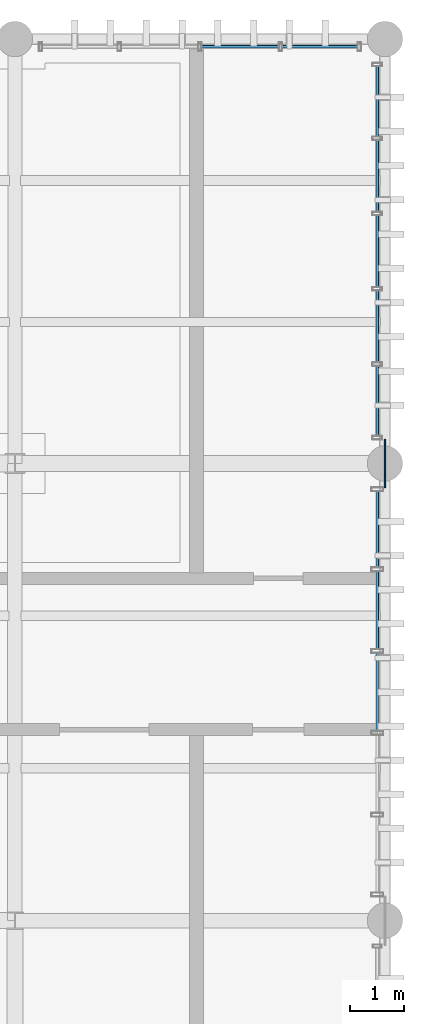
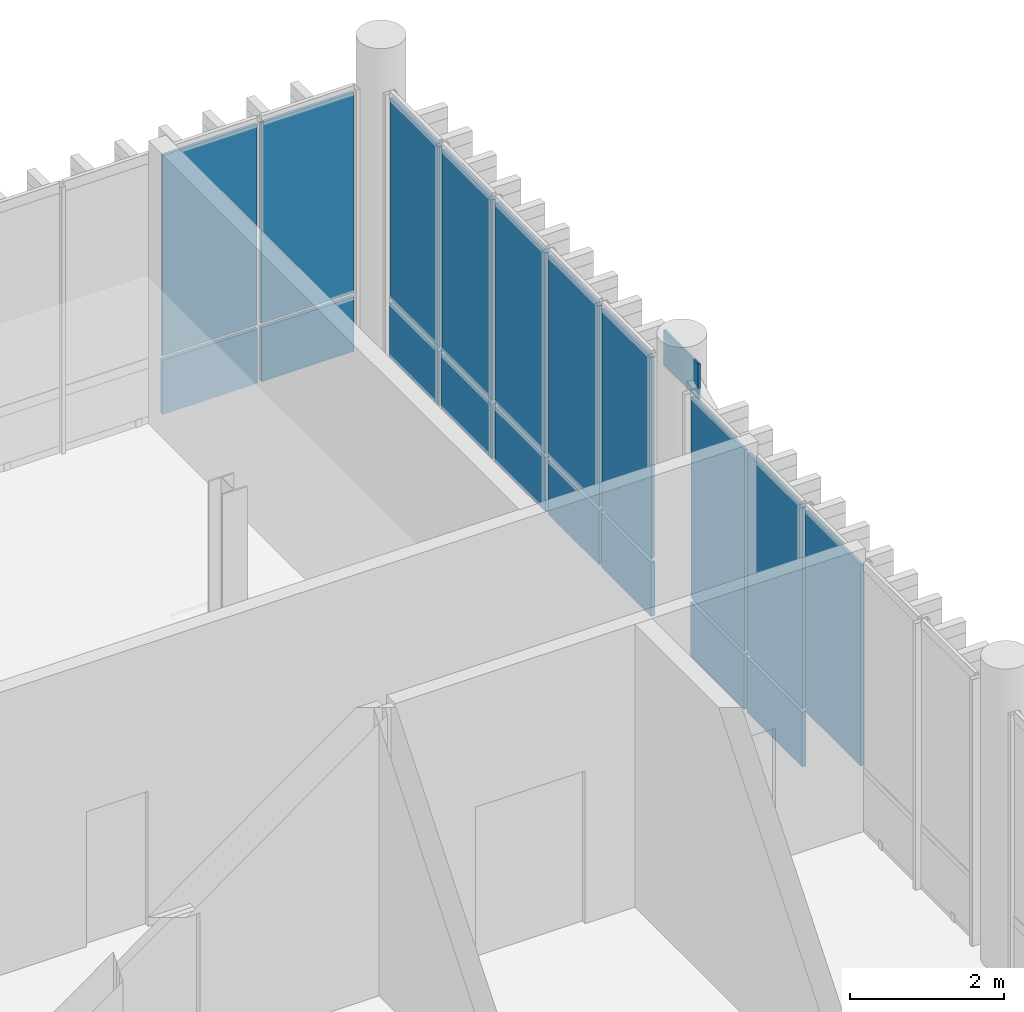
# One storey, part 70 of 86: 20 plates, 3 elements without a shape of their own.
"""IFC4 building model written with IfcOpenShell, lengths in metres."""

from ifc_helpers import new_model, si_unit, direction, frame, frame_2d, origin_with_axes, origin_2d_with_axis, place, context, subcontext, project, spatial, rectangle, extrude, material, layer, layer_set, type_object, element, aggregate, save


model = new_model("IFC4")

# Units and contexts
model_context = context("Model", 3, precision=1e-05, world=origin_with_axes(), true_north=direction((0.0, 1.0)))
body_context = subcontext(model_context, "Body", "Model", "MODEL_VIEW")
ifc_project = project(units=[si_unit("LENGTHUNIT", "METRE"), si_unit("AREAUNIT", "SQUARE_METRE"), si_unit("VOLUMEUNIT", "CUBIC_METRE"), si_unit("PLANEANGLEUNIT", "RADIAN"), si_unit("MASSUNIT", "GRAM", prefix="KILO"), si_unit("THERMODYNAMICTEMPERATUREUNIT", "KELVIN")], contexts=[model_context])

# Site, building, storey
site_placement = place(None, origin_with_axes())
site = spatial("IfcSite", under=ifc_project, at=site_placement, CompositionType="ELEMENT")
building_placement = place(site_placement, origin_with_axes())
building = spatial("IfcBuilding", under=site, at=building_placement, Name="Montbau Bow Law Courts", CompositionType="ELEMENT")
storey_placement = place(building_placement, frame((0.0, 0.0, 29.7), z_axis=(0.0, 0.0, 1.0), x_axis=(1.0, 0.0, 0.0)))
storey = spatial("IfcBuildingStorey", under=building, at=storey_placement, Name="L06", CompositionType="ELEMENT", Elevation=29.7)

# Curtain wall, plates
ifc_material_1 = material(Name="Thermally Broken Extruded Aluminium AA 6063-T6", Category="aluminium")
curtain_wall_type = type_object("IfcCurtainWallType", Name="CW-SLT-02", PredefinedType="NOTDEFINED", material=ifc_material_1)
curtain_wall_1_placement = place(None, frame((163.04, 110.86, 29.7), z_axis=(0.0, 0.0, 1.0), x_axis=(1.0, 0.0, 0.0)))
curtain_wall_1 = element("IfcCurtainWall", 1, at=curtain_wall_1_placement, inside=storey, type_object=curtain_wall_type, Name="CW-L06-356:cw_0356", PredefinedType="NOTDEFINED")
ifc_material_2 = material(Name="Triple-Glazed Low-E Argon Insulating Glass Unit", Category="glass")
ifc_layer_1 = layer(ifc_material_2, 0.044, Name="Curtain Panel", Category="glass")
ifc_layer_set_1 = layer_set([ifc_layer_1], Name="Triple-Glazed Low-E Argon Insulating Glass Unit")
plate_type_1 = type_object("IfcPlateType", Name="PL-CWP-01", PredefinedType="CURTAIN_PANEL", material=ifc_layer_set_1)
plate_1_placement = place(None, frame((166.032, 110.86, 30.682), z_axis=(0.0, -1.0, 0.0), x_axis=(1.0, 0.0, 0.0)))
plate_1 = element("IfcPlate", 2, at=plate_1_placement, type_object=plate_type_1, Name="CW-L06-356-P03-2:cw_0356_P03_2", PredefinedType="CURTAIN_PANEL", context=body_context, shape_type="SweptSolid", body=[
    extrude(rectangle(XDim=1.416, YDim=3.176, at=frame_2d((0.708, 1.588), x_axis=(1.0, 0.0))), frame((0.0, 0.0, -0.022), z_axis=(0.0, 0.0, 1.0), x_axis=(1.0, 0.0, 0.0)), (0.0, 0.0, 1.0), 0.044),
])
plate_2_placement = place(None, frame((167.512, 110.86, 30.682), z_axis=(0.0, -1.0, 0.0), x_axis=(1.0, 0.0, 0.0)))
plate_2 = element("IfcPlate", 3, at=plate_2_placement, type_object=plate_type_1, Name="CW-L06-356-P04-2:cw_0356_P04_2", PredefinedType="CURTAIN_PANEL", context=body_context, shape_type="SweptSolid", body=[
    extrude(rectangle(XDim=1.386, YDim=3.176, at=frame_2d((0.693, 1.588), x_axis=(1.0, 0.0))), frame((0.0, 0.0, -0.022), z_axis=(0.0, 0.0, 1.0), x_axis=(1.0, 0.0, 0.0)), (0.0, 0.0, 1.0), 0.044),
])

curtain_wall_2_placement = place(None, frame((169.26, 95.24, 29.7), z_axis=(0.0, 0.0, 1.0), x_axis=(1.0, 0.0, 0.0)))
curtain_wall_2 = element("IfcCurtainWall", 4, at=curtain_wall_2_placement, inside=storey, type_object=curtain_wall_type, Name="CW-L06-363:cw_0363", PredefinedType="NOTDEFINED")
plate_3_placement = place(None, frame((169.26, 98.287, 30.679), z_axis=(1.0, 0.0, 0.0), x_axis=(0.0, 1.0, 0.0)))
plate_3 = element("IfcPlate", 5, at=plate_3_placement, type_object=plate_type_1, Name="CW-L06-363-P03-2:cw_0363_P03_2", PredefinedType="CURTAIN_PANEL", context=body_context, shape_type="SweptSolid", body=[
    extrude(rectangle(XDim=1.426, YDim=3.183, at=frame_2d((0.713, 1.5915), x_axis=(1.0, 0.0))), frame((0.0, 0.0, -0.022), z_axis=(0.0, 0.0, 1.0), x_axis=(1.0, 0.0, 0.0)), (0.0, 0.0, 1.0), 0.044),
])
plate_4_placement = place(None, frame((169.26, 99.791, 30.679), z_axis=(1.0, 0.0, 0.0), x_axis=(0.0, 1.0, 0.0)))
plate_4 = element("IfcPlate", 6, at=plate_4_placement, type_object=plate_type_1, Name="CW-L06-363-P04-2:cw_0363_P04_2", PredefinedType="CURTAIN_PANEL", context=body_context, shape_type="SweptSolid", body=[
    extrude(rectangle(XDim=1.426, YDim=3.183, at=frame_2d((0.713, 1.5915), x_axis=(1.0, 0.0))), frame((0.0, 0.0, -0.022), z_axis=(0.0, 0.0, 1.0), x_axis=(1.0, 0.0, 0.0)), (0.0, 0.0, 1.0), 0.044),
])
plate_5_placement = place(None, frame((169.26, 101.295, 30.679), z_axis=(1.0, 0.0, 0.0), x_axis=(0.0, 1.0, 0.0)))
plate_5 = element("IfcPlate", 7, at=plate_5_placement, type_object=plate_type_1, Name="CW-L06-363-P05-2:cw_0363_P05_2", PredefinedType="CURTAIN_PANEL", context=body_context, shape_type="SweptSolid", body=[
    extrude(rectangle(XDim=1.389, YDim=3.183, at=frame_2d((0.6945, 1.5915), x_axis=(1.0, 0.0))), frame((0.0, 0.0, -0.022), z_axis=(0.0, 0.0, 1.0), x_axis=(1.0, 0.0, 0.0)), (0.0, 0.0, 1.0), 0.044),
])

curtain_wall_3_placement = place(None, frame((169.26, 103.64, 29.7), z_axis=(0.0, 0.0, 1.0), x_axis=(1.0, 0.0, 0.0)))
curtain_wall_3 = element("IfcCurtainWall", 8, at=curtain_wall_3_placement, inside=storey, type_object=curtain_wall_type, Name="CW-L06-364:cw_0364", PredefinedType="NOTDEFINED")
plate_6_placement = place(None, frame((169.26, 103.708, 30.682), z_axis=(1.0, 0.0, 0.0), x_axis=(0.0, 1.0, 0.0)))
plate_6 = element("IfcPlate", 9, at=plate_6_placement, type_object=plate_type_1, Name="CW-L06-364-P01-2:cw_0364_P01_2", PredefinedType="CURTAIN_PANEL", context=body_context, shape_type="SweptSolid", body=[
    extrude(rectangle(XDim=1.281, YDim=3.176, at=frame_2d((0.6405, 1.588), x_axis=(1.0, 0.0))), frame((0.0, 0.0, -0.022), z_axis=(0.0, 0.0, 1.0), x_axis=(1.0, 0.0, 0.0)), (0.0, 0.0, 1.0), 0.044),
])
plate_7_placement = place(None, frame((169.26, 105.058, 30.682), z_axis=(1.0, 0.0, 0.0), x_axis=(0.0, 1.0, 0.0)))
plate_7 = element("IfcPlate", 10, at=plate_7_placement, type_object=plate_type_1, Name="CW-L06-364-P02-2:cw_0364_P02_2", PredefinedType="CURTAIN_PANEL", context=body_context, shape_type="SweptSolid", body=[
    extrude(rectangle(XDim=1.315, YDim=3.176, at=frame_2d((0.6575, 1.588), x_axis=(1.0, 0.0))), frame((0.0, 0.0, -0.022), z_axis=(0.0, 0.0, 1.0), x_axis=(1.0, 0.0, 0.0)), (0.0, 0.0, 1.0), 0.044),
])
plate_8_placement = place(None, frame((169.26, 106.442, 30.682), z_axis=(1.0, 0.0, 0.0), x_axis=(0.0, 1.0, 0.0)))
plate_8 = element("IfcPlate", 11, at=plate_8_placement, type_object=plate_type_1, Name="CW-L06-364-P03-2:cw_0364_P03_2", PredefinedType="CURTAIN_PANEL", context=body_context, shape_type="SweptSolid", body=[
    extrude(rectangle(XDim=1.316, YDim=3.176, at=frame_2d((0.658, 1.588), x_axis=(1.0, 0.0))), frame((0.0, 0.0, -0.022), z_axis=(0.0, 0.0, 1.0), x_axis=(1.0, 0.0, 0.0)), (0.0, 0.0, 1.0), 0.044),
])
plate_9_placement = place(None, frame((169.26, 107.826, 30.682), z_axis=(1.0, 0.0, 0.0), x_axis=(0.0, 1.0, 0.0)))
plate_9 = element("IfcPlate", 12, at=plate_9_placement, type_object=plate_type_1, Name="CW-L06-364-P04-2:cw_0364_P04_2", PredefinedType="CURTAIN_PANEL", context=body_context, shape_type="SweptSolid", body=[
    extrude(rectangle(XDim=1.316, YDim=3.176, at=frame_2d((0.658, 1.588), x_axis=(1.0, 0.0))), frame((0.0, 0.0, -0.022), z_axis=(0.0, 0.0, 1.0), x_axis=(1.0, 0.0, 0.0)), (0.0, 0.0, 1.0), 0.044),
])
plate_10_placement = place(None, frame((169.26, 109.21, 30.682), z_axis=(1.0, 0.0, 0.0), x_axis=(0.0, 1.0, 0.0)))
plate_10 = element("IfcPlate", 13, at=plate_10_placement, type_object=plate_type_1, Name="CW-L06-364-P05-2:cw_0364_P05_2", PredefinedType="CURTAIN_PANEL", context=body_context, shape_type="SweptSolid", body=[
    extrude(rectangle(XDim=1.284, YDim=3.176, at=frame_2d((0.642, 1.588), x_axis=(1.0, 0.0))), frame((0.0, 0.0, -0.022), z_axis=(0.0, 0.0, 1.0), x_axis=(1.0, 0.0, 0.0)), (0.0, 0.0, 1.0), 0.044),
])

# Plate
ifc_material_3 = material(Name="Insulated Ceramic-Frit Spandrel Glazing Unit", Category="glass")
ifc_layer_2 = layer(ifc_material_3, 0.056, Name="Curtain Panel", Category="glass")
ifc_layer_set_2 = layer_set([ifc_layer_2], Name="Insulated Ceramic-Frit Spandrel Glazing Unit")
plate_type_2 = type_object("IfcPlateType", Name="PL-CWP-02", PredefinedType="CURTAIN_PANEL", material=ifc_layer_set_2)
plate_11_placement = place(None, frame((166.032, 110.86, 29.762), z_axis=(0.0, -1.0, 0.0), x_axis=(1.0, 0.0, 0.0)))
plate_11 = element("IfcPlate", 14, at=plate_11_placement, type_object=plate_type_2, Name="CW-L06-356-P03-1:cw_0356_P03_1", PredefinedType="CURTAIN_PANEL", context=body_context, shape_type="SweptSolid", body=[
    extrude(rectangle(XDim=1.416, YDim=0.856, at=frame_2d((0.708, 0.428), x_axis=(1.0, 0.0))), frame((0.0, 0.0, -0.028), z_axis=(0.0, 0.0, 1.0), x_axis=(1.0, 0.0, 0.0)), (0.0, 0.0, 1.0), 0.056),
])

plate_12_placement = place(None, frame((167.512, 110.86, 29.762), z_axis=(0.0, -1.0, 0.0), x_axis=(1.0, 0.0, 0.0)))
plate_12 = element("IfcPlate", 15, at=plate_12_placement, type_object=plate_type_2, Name="CW-L06-356-P04-1:cw_0356_P04_1", PredefinedType="CURTAIN_PANEL", context=body_context, shape_type="SweptSolid", body=[
    extrude(rectangle(XDim=1.386, YDim=0.856, at=frame_2d((0.693, 0.428), x_axis=(1.0, 0.0))), frame((0.0, 0.0, -0.028), z_axis=(0.0, 0.0, 1.0), x_axis=(1.0, 0.0, 0.0)), (0.0, 0.0, 1.0), 0.056),
])

aggregate(curtain_wall_1, [plate_11, plate_1, plate_12, plate_2])

plate_13_placement = place(None, frame((169.26, 99.791, 29.756), z_axis=(1.0, 0.0, 0.0), x_axis=(0.0, 1.0, 0.0)))
plate_13 = element("IfcPlate", 16, at=plate_13_placement, type_object=plate_type_2, Name="CW-L06-363-P04-1:cw_0363_P04_1", PredefinedType="CURTAIN_PANEL", context=body_context, shape_type="SweptSolid", body=[
    extrude(rectangle(XDim=1.426, YDim=0.864, at=frame_2d((0.713, 0.432), x_axis=(1.0, 0.0))), frame((0.0, 0.0, -0.028), z_axis=(0.0, 0.0, 1.0), x_axis=(1.0, 0.0, 0.0)), (0.0, 0.0, 1.0), 0.056),
])

plate_14_placement = place(None, frame((169.26, 101.295, 29.756), z_axis=(1.0, 0.0, 0.0), x_axis=(0.0, 1.0, 0.0)))
plate_14 = element("IfcPlate", 17, at=plate_14_placement, type_object=plate_type_2, Name="CW-L06-363-P05-1:cw_0363_P05_1", PredefinedType="CURTAIN_PANEL", context=body_context, shape_type="SweptSolid", body=[
    extrude(rectangle(XDim=1.389, YDim=0.864, at=frame_2d((0.6945, 0.432), x_axis=(1.0, 0.0))), frame((0.0, 0.0, -0.028), z_axis=(0.0, 0.0, 1.0), x_axis=(1.0, 0.0, 0.0)), (0.0, 0.0, 1.0), 0.056),
])

aggregate(curtain_wall_2, [plate_3, plate_13, plate_4, plate_14, plate_5])

plate_15_placement = place(None, frame((169.26, 103.708, 29.762), z_axis=(1.0, 0.0, 0.0), x_axis=(0.0, 1.0, 0.0)))
plate_15 = element("IfcPlate", 18, at=plate_15_placement, type_object=plate_type_2, Name="CW-L06-364-P01-1:cw_0364_P01_1", PredefinedType="CURTAIN_PANEL", context=body_context, shape_type="SweptSolid", body=[
    extrude(rectangle(XDim=1.281, YDim=0.856, at=frame_2d((0.6405, 0.428), x_axis=(1.0, 0.0))), frame((0.0, 0.0, -0.028), z_axis=(0.0, 0.0, 1.0), x_axis=(1.0, 0.0, 0.0)), (0.0, 0.0, 1.0), 0.056),
])

plate_16_placement = place(None, frame((169.26, 105.058, 29.762), z_axis=(1.0, 0.0, 0.0), x_axis=(0.0, 1.0, 0.0)))
plate_16 = element("IfcPlate", 19, at=plate_16_placement, type_object=plate_type_2, Name="CW-L06-364-P02-1:cw_0364_P02_1", PredefinedType="CURTAIN_PANEL", context=body_context, shape_type="SweptSolid", body=[
    extrude(rectangle(XDim=1.315, YDim=0.856, at=frame_2d((0.6575, 0.428), x_axis=(1.0, 0.0))), frame((0.0, 0.0, -0.028), z_axis=(0.0, 0.0, 1.0), x_axis=(1.0, 0.0, 0.0)), (0.0, 0.0, 1.0), 0.056),
])

plate_17_placement = place(None, frame((169.26, 106.442, 29.762), z_axis=(1.0, 0.0, 0.0), x_axis=(0.0, 1.0, 0.0)))
plate_17 = element("IfcPlate", 20, at=plate_17_placement, type_object=plate_type_2, Name="CW-L06-364-P03-1:cw_0364_P03_1", PredefinedType="CURTAIN_PANEL", context=body_context, shape_type="SweptSolid", body=[
    extrude(rectangle(XDim=1.316, YDim=0.856, at=frame_2d((0.658, 0.428), x_axis=(1.0, 0.0))), frame((0.0, 0.0, -0.028), z_axis=(0.0, 0.0, 1.0), x_axis=(1.0, 0.0, 0.0)), (0.0, 0.0, 1.0), 0.056),
])

plate_18_placement = place(None, frame((169.26, 107.826, 29.762), z_axis=(1.0, 0.0, 0.0), x_axis=(0.0, 1.0, 0.0)))
plate_18 = element("IfcPlate", 21, at=plate_18_placement, type_object=plate_type_2, Name="CW-L06-364-P04-1:cw_0364_P04_1", PredefinedType="CURTAIN_PANEL", context=body_context, shape_type="SweptSolid", body=[
    extrude(rectangle(XDim=1.316, YDim=0.856, at=frame_2d((0.658, 0.428), x_axis=(1.0, 0.0))), frame((0.0, 0.0, -0.028), z_axis=(0.0, 0.0, 1.0), x_axis=(1.0, 0.0, 0.0)), (0.0, 0.0, 1.0), 0.056),
])

plate_19_placement = place(None, frame((169.26, 109.21, 29.762), z_axis=(1.0, 0.0, 0.0), x_axis=(0.0, 1.0, 0.0)))
plate_19 = element("IfcPlate", 22, at=plate_19_placement, type_object=plate_type_2, Name="CW-L06-364-P05-1:cw_0364_P05_1", PredefinedType="CURTAIN_PANEL", context=body_context, shape_type="SweptSolid", body=[
    extrude(rectangle(XDim=1.284, YDim=0.856, at=frame_2d((0.642, 0.428), x_axis=(1.0, 0.0))), frame((0.0, 0.0, -0.028), z_axis=(0.0, 0.0, 1.0), x_axis=(1.0, 0.0, 0.0)), (0.0, 0.0, 1.0), 0.056),
])

aggregate(curtain_wall_3, [plate_15, plate_6, plate_16, plate_7, plate_17, plate_8, plate_18, plate_9, plate_19, plate_10])

ifc_material_4 = material(Name="Steel CSA G40.21 Grade 350WT (350 MPa)", Category="steel")
ifc_layer_3 = layer(ifc_material_4, 0.032, Name="Gusset Plate", Category="steel")
ifc_layer_set_3 = layer_set([ifc_layer_3], Name="Steel CSA G40.21 Grade 350WT (350 MPa)")
plate_type_3 = type_object("IfcPlateType", Name="PL-GUS-01", PredefinedType="USERDEFINED", material=ifc_layer_set_3)
plate_20_placement = place(None, frame((169.4, 103.2, 33.727), z_axis=(0.0, 0.0, 1.0), x_axis=(0.0, 1.0, 0.0)))
element("IfcPlate", 23, at=plate_20_placement, inside=storey, type_object=plate_type_3, Name="BGP-L06-175:plt_0206", ObjectType="GUSSET_PLATE", PredefinedType="USERDEFINED", context=body_context, shape_type="SweptSolid", body=[
    extrude(rectangle(XDim=0.9, YDim=0.032, at=origin_2d_with_axis()), origin_with_axes(), (0.0, 0.0, 1.0), 0.56),
])

save(model, "model.ifc")
